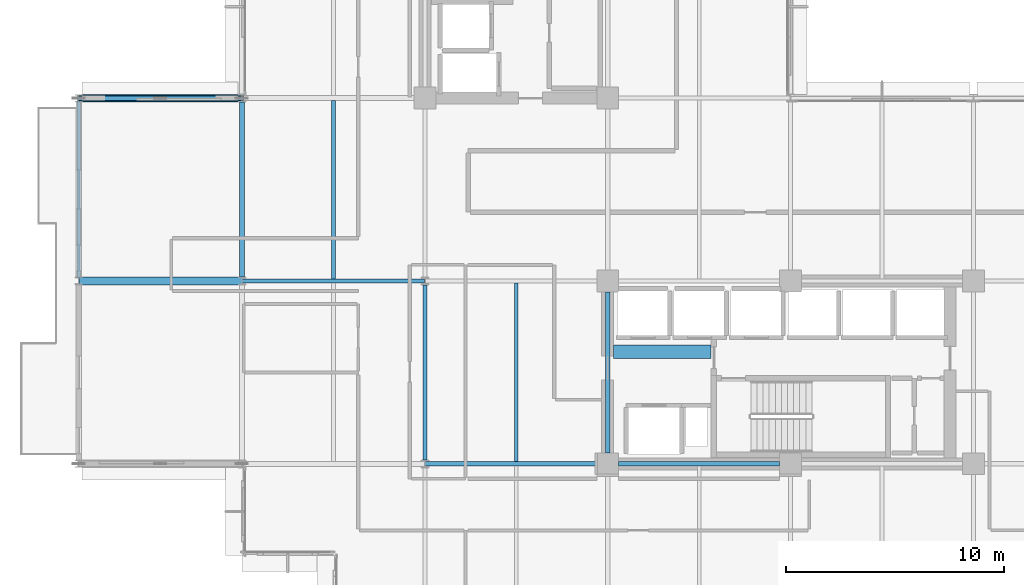
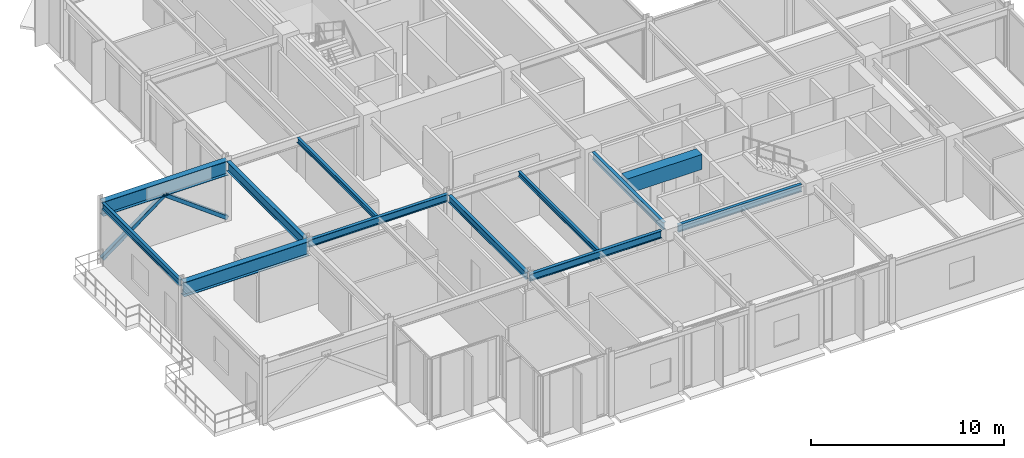
# One storey, part 8 of 30: 12 beams, 2 members.
"""IFC4 building model written with IfcOpenShell, lengths in metres."""

from ifc_helpers import new_model, si_unit, direction, frame, origin, origin_2d, place, context, subcontext, project, spatial, rectangle, hollow_rectangle, i_section, extrude, material, material_profile, profile_set, type_object, element, save


model = new_model("IFC4")

# Units and contexts
model_context = context("Model", 3, precision=1e-05, world=origin(), true_north=direction((0.0, 1.0)))
body_context = subcontext(model_context, "Body", "Model", "MODEL_VIEW")
ifc_project = project(units=[si_unit("LENGTHUNIT", "METRE"), si_unit("AREAUNIT", "SQUARE_METRE"), si_unit("VOLUMEUNIT", "CUBIC_METRE"), si_unit("PLANEANGLEUNIT", "RADIAN"), si_unit("MASSUNIT", "GRAM", prefix="KILO")], contexts=[model_context])

# Site, building, storey
site_placement = place(None, origin())
site = spatial("IfcSite", under=ifc_project, at=site_placement, CompositionType="ELEMENT")
building_placement = place(site_placement, origin())
building = spatial("IfcBuilding", under=site, at=building_placement, Name="Nerrivon Quay Data Exchange", CompositionType="ELEMENT")
storey_placement = place(building_placement, frame((0.0, 0.0, 171.39990234375)))
storey = spatial("IfcBuildingStorey", under=building, at=storey_placement, Name="L40", CompositionType="ELEMENT", Elevation=171.39990234375)

# Beams
ifc_material_1 = material(Name="Steel Grade 350", Category="steel")
ifc_material_profile_1 = material_profile(ifc_material_1, i_section(OverallWidth=0.35009765625, OverallDepth=0.909912109375, WebThickness=0.011962890625, FlangeThickness=0.02490234375, at=origin_2d()), Name="900WB218")
ifc_profile_set_1 = profile_set([ifc_material_profile_1], Name="Steel Grade 350")
beam_type_1 = type_object("IfcBeamType", Name="BM-CANT-900WB", PredefinedType="USERDEFINED", material=ifc_profile_set_1)
for number, where, z_axis, x_axis, name in (
    (1, (-0.010009765625, 16.800048828125, 3.3701171875), (-1.0, 0.0, 0.0), (0.0, -1.0, 0.0), "L40 West Hooked Cantilever Girder Y=16.8"),
    (2, (-0.010009765625, 25.199951171875, 3.3701171875), (-1.0, 0.0, 0.0), (0.0, -1.0, 0.0), "L40 West Hooked Cantilever Girder Y=25.2"),
):
    element("IfcBeam", number, at=place(storey_placement, frame(where, z_axis=z_axis, x_axis=x_axis)), inside=storey, type_object=beam_type_1, Name=name, ObjectType="TRANSFER", PredefinedType="USERDEFINED", context=body_context, shape_type="SweptSolid", body=[
        extrude(i_section(OverallWidth=0.35009765625, OverallDepth=0.909912109375, WebThickness=0.011962890625, FlangeThickness=0.02490234375, at=origin_2d()), origin(), (0.0, 0.0, 1.0), 7.482177734375),
    ])
ifc_material_2 = material(Name="Concrete N50 (50 MPa)", Category="concrete")
ifc_material_profile_2 = material_profile(ifc_material_2, rectangle(XDim=0.60009765625, YDim=0.949951171875, at=origin_2d()), Name="RC-CB-600x950")
ifc_profile_set_2 = profile_set([ifc_material_profile_2], Name="Concrete N50 (50 MPa)")
beam_type_2 = type_object("IfcBeamType", Name="BM-CB2-600x950", PredefinedType="LINTEL", material=ifc_profile_set_2)
beam_1_placement = place(storey_placement, frame((17.074951171875, 13.550048828125, 3.35009765625), z_axis=(1.0, 0.0, 0.0), x_axis=(0.0, 1.0, 0.0)))
element("IfcBeam", 3, at=beam_1_placement, inside=storey, type_object=beam_type_2, Name="L40 East Core Coupling Beam", PredefinedType="LINTEL", context=body_context, shape_type="SweptSolid", body=[
    extrude(rectangle(XDim=0.60009765625, YDim=0.949951171875, at=origin_2d()), origin(), (0.0, 0.0, 1.0), 4.47998046875),
])
ifc_material_profile_3 = material_profile(ifc_material_1, i_section(OverallWidth=0.22802734375, OverallDepth=0.60205078125, WebThickness=0.010498046875, FlangeThickness=0.014892578125, FilletRadius=0.013916015625, at=origin_2d()), Name="610UB101")
ifc_profile_set_3 = profile_set([ifc_material_profile_3], Name="Steel Grade 350")
beam_type_3 = type_object("IfcBeamType", Name="BM-G2-610UB101", PredefinedType="BEAM", material=ifc_profile_set_3)
beam_2_placement = place(storey_placement, frame((0.0, 16.97509765625, 3.524169921875), z_axis=(0.0, 1.0, 0.0), x_axis=(-1.0, 0.0, 0.0)))
element("IfcBeam", 4, at=beam_2_placement, inside=storey, type_object=beam_type_3, Name="L40 NS Girder X=0.0 (16.8..25.2)", PredefinedType="BEAM", context=body_context, shape_type="SweptSolid", body=[
    extrude(i_section(OverallWidth=0.22802734375, OverallDepth=0.60205078125, WebThickness=0.010498046875, FlangeThickness=0.014892578125, FilletRadius=0.013916015625, at=origin_2d()), origin(), (0.0, 0.0, 1.0), 8.0498046875),
])
ifc_material_profile_4 = material_profile(ifc_material_1, i_section(OverallWidth=0.19091796875, OverallDepth=0.4599609375, WebThickness=0.010009765625, FlangeThickness=0.01611328125, FilletRadius=0.011474609375, at=origin_2d()), Name="460UB82.1")
ifc_profile_set_4 = profile_set([ifc_material_profile_4], Name="Steel Grade 350")
beam_type_4 = type_object("IfcBeamType", Name="BM-G5-460UB82", PredefinedType="BEAM", material=ifc_profile_set_4)
beam_3_placement = place(storey_placement, frame((8.409912109375, 8.39990234375, 3.59521484375), z_axis=(1.0, 0.0, 0.0), x_axis=(0.0, 1.0, 0.0)))
element("IfcBeam", 5, at=beam_3_placement, inside=storey, type_object=beam_type_4, Name="L40 EW Girder Y=8.4 (8.4..16.8)", PredefinedType="BEAM", context=body_context, shape_type="SweptSolid", body=[
    extrude(i_section(OverallWidth=0.19091796875, OverallDepth=0.4599609375, WebThickness=0.010009765625, FlangeThickness=0.01611328125, FilletRadius=0.011474609375, at=origin_2d()), origin(), (0.0, 0.0, 1.0), 7.89013671875),
])
beam_4_placement = place(storey_placement, frame((17.300048828125, 8.39990234375, 3.59521484375), z_axis=(1.0, 0.0, 0.0), x_axis=(0.0, 1.0, 0.0)))
element("IfcBeam", 6, at=beam_4_placement, inside=storey, type_object=beam_type_4, Name="L40 EW Girder Y=8.4 (16.8..25.2)", PredefinedType="BEAM", context=body_context, shape_type="SweptSolid", body=[
    extrude(i_section(OverallWidth=0.19091796875, OverallDepth=0.4599609375, WebThickness=0.010009765625, FlangeThickness=0.01611328125, FilletRadius=0.011474609375, at=origin_2d()), origin(), (0.0, 0.0, 1.0), 7.39990234375),
])
beam_5_placement = place(storey_placement, frame((0.010009765625, 16.800048828125, 3.59521484375), z_axis=(1.0, 0.0, 0.0), x_axis=(0.0, 1.0, 0.0)))
element("IfcBeam", 7, at=beam_5_placement, inside=storey, type_object=beam_type_4, Name="L40 EW Girder Y=16.8 (0.0..8.4)", PredefinedType="BEAM", context=body_context, shape_type="SweptSolid", body=[
    extrude(i_section(OverallWidth=0.19091796875, OverallDepth=0.4599609375, WebThickness=0.010009765625, FlangeThickness=0.01611328125, FilletRadius=0.011474609375, at=origin_2d()), origin(), (0.0, 0.0, 1.0), 8.3798828125),
])
ifc_material_profile_5 = material_profile(ifc_material_1, i_section(OverallWidth=0.18994140625, OverallDepth=0.4541015625, WebThickness=0.008544921875, FlangeThickness=0.0126953125, FilletRadius=0.011474609375, at=origin_2d()), Name="460UB67.1")
ifc_profile_set_5 = profile_set([ifc_material_profile_5], Name="Steel Grade 350")
beam_type_5 = type_object("IfcBeamType", Name="BM-G6-460UB67", PredefinedType="BEAM", material=ifc_profile_set_5)
beam_6_placement = place(storey_placement, frame((8.39990234375, 8.574951171875, 3.59814453125), z_axis=(0.0, 1.0, 0.0), x_axis=(-1.0, 0.0, 0.0)))
element("IfcBeam", 8, at=beam_6_placement, inside=storey, type_object=beam_type_5, Name="L40 NS Girder X=8.4 (8.4..16.8)", PredefinedType="BEAM", context=body_context, shape_type="SweptSolid", body=[
    extrude(i_section(OverallWidth=0.18994140625, OverallDepth=0.4541015625, WebThickness=0.008544921875, FlangeThickness=0.0126953125, FilletRadius=0.011474609375, at=origin_2d()), origin(), (0.0, 0.0, 1.0), 8.050048828125),
])
beam_7_placement = place(storey_placement, frame((16.800048828125, 8.89990234375, 3.59814453125), z_axis=(0.0, 1.0, 0.0), x_axis=(-1.0, 0.0, 0.0)))
element("IfcBeam", 9, at=beam_7_placement, inside=storey, type_object=beam_type_5, Name="L40 NS Girder X=16.8 (8.4..16.8)", PredefinedType="BEAM", context=body_context, shape_type="SweptSolid", body=[
    extrude(i_section(OverallWidth=0.18994140625, OverallDepth=0.4541015625, WebThickness=0.008544921875, FlangeThickness=0.0126953125, FilletRadius=0.011474609375, at=origin_2d()), origin(), (0.0, 0.0, 1.0), 7.400146484375),
])
ifc_material_profile_6 = material_profile(ifc_material_1, i_section(OverallWidth=0.166015625, OverallDepth=0.306884765625, WebThickness=0.006591796875, FlangeThickness=0.01171875, FilletRadius=0.011474609375, at=origin_2d()), Name="310UB46.2")
ifc_profile_set_6 = profile_set([ifc_material_profile_6], Name="Steel Grade 350")
beam_type_6 = type_object("IfcBeamType", Name="BM-J5-310UB46", PredefinedType="JOIST", material=ifc_profile_set_6)
beam_8_placement = place(storey_placement, frame((4.199951171875, 16.8955078125, 3.671630859375), z_axis=(0.0, 1.0, 0.0), x_axis=(-1.0, 0.0, 0.0)))
element("IfcBeam", 10, at=beam_8_placement, inside=storey, type_object=beam_type_6, Name="L40 Secondary Joist X=4.2 (16.8..25.2)", PredefinedType="JOIST", context=body_context, shape_type="SweptSolid", body=[
    extrude(i_section(OverallWidth=0.166015625, OverallDepth=0.306884765625, WebThickness=0.006591796875, FlangeThickness=0.01171875, FilletRadius=0.011474609375, at=origin_2d()), origin(), (0.0, 0.0, 1.0), 8.18994140625),
])
beam_9_placement = place(storey_placement, frame((12.60009765625, 8.49560546875, 3.671630859375), z_axis=(0.0, 1.0, 0.0), x_axis=(-1.0, 0.0, 0.0)))
element("IfcBeam", 11, at=beam_9_placement, inside=storey, type_object=beam_type_6, Name="L40 Secondary Joist X=12.6 (8.4..16.8)", PredefinedType="JOIST", context=body_context, shape_type="SweptSolid", body=[
    extrude(i_section(OverallWidth=0.166015625, OverallDepth=0.306884765625, WebThickness=0.006591796875, FlangeThickness=0.01171875, FilletRadius=0.011474609375, at=origin_2d()), origin(), (0.0, 0.0, 1.0), 8.208984375),
])
ifc_material_profile_7 = material_profile(ifc_material_1, i_section(OverallWidth=0.177978515625, OverallDepth=0.403076171875, WebThickness=0.007568359375, FlangeThickness=0.010986328125, FilletRadius=0.011474609375, at=origin_2d()), Name="410UB53.7")
ifc_profile_set_7 = profile_set([ifc_material_profile_7], Name="Steel Grade 350")
beam_type_7 = type_object("IfcBeamType", Name="BM-SP2-410UB54", PredefinedType="SPANDREL", material=ifc_profile_set_7)
beam_10_placement = place(storey_placement, frame((-7.5, 16.96337890625, 3.62353515625), z_axis=(0.0, 1.0, 0.0), x_axis=(-1.0, 0.0, 0.0)))
element("IfcBeam", 12, at=beam_10_placement, inside=storey, type_object=beam_type_7, Name="L40 West Hooked Edge Spandrel", PredefinedType="SPANDREL", context=body_context, shape_type="SweptSolid", body=[
    extrude(i_section(OverallWidth=0.177978515625, OverallDepth=0.403076171875, WebThickness=0.007568359375, FlangeThickness=0.010986328125, FilletRadius=0.011474609375, at=origin_2d()), origin(), (0.0, 0.0, 1.0), 8.0732421875),
])

# Members
ifc_material_3 = material(Name="Steel Grade C350L0 (350 MPa)", Category="steel")
ifc_material_profile_8 = material_profile(ifc_material_3, hollow_rectangle(XDim=0.25, YDim=0.25, WallThickness=0.012451171875, InnerFilletRadius=0.018798828125, OuterFilletRadius=0.03125, at=origin_2d()), Name="250x250x12.5SHS")
ifc_profile_set_8 = profile_set([ifc_material_profile_8], Name="Steel Grade C350L0 (350 MPa)")
member_type = type_object("IfcMemberType", Name="MEM-WB1-250SHS", PredefinedType="BRACE", material=ifc_profile_set_8)
member_1_placement = place(storey_placement, frame((-0.010009765625, 25.199951171875, 0.16015625), z_axis=(-0.804119410899, 0.0, 0.594467806543), x_axis=(0.0, -1.0, 0.0)))
element("IfcMember", 13, at=member_1_placement, inside=storey, type_object=member_type, Name="L40 structural brace BR-L40-WHOOK-252A", PredefinedType="BRACE", context=body_context, shape_type="SweptSolid", body=[
    extrude(hollow_rectangle(XDim=0.25, YDim=0.25, WallThickness=0.012451171875, InnerFilletRadius=0.018798828125, OuterFilletRadius=0.03125, at=origin_2d()), origin(), (0.0, 0.0, 1.0), 4.651123046875),
])
member_2_placement = place(storey_placement, frame((-7.4921875, 25.199951171875, 0.16015625), z_axis=(0.80428626692, 0.0, 0.59424203894), x_axis=(0.0, 1.0, 0.0)))
element("IfcMember", 14, at=member_2_placement, inside=storey, type_object=member_type, Name="L40 structural brace BR-L40-WHOOK-252B", PredefinedType="BRACE", context=body_context, shape_type="SweptSolid", body=[
    extrude(hollow_rectangle(XDim=0.25, YDim=0.25, WallThickness=0.012451171875, InnerFilletRadius=0.018798828125, OuterFilletRadius=0.03125, at=origin_2d()), origin(), (0.0, 0.0, 1.0), 4.65283203125),
])

save(model, "model.ifc")
